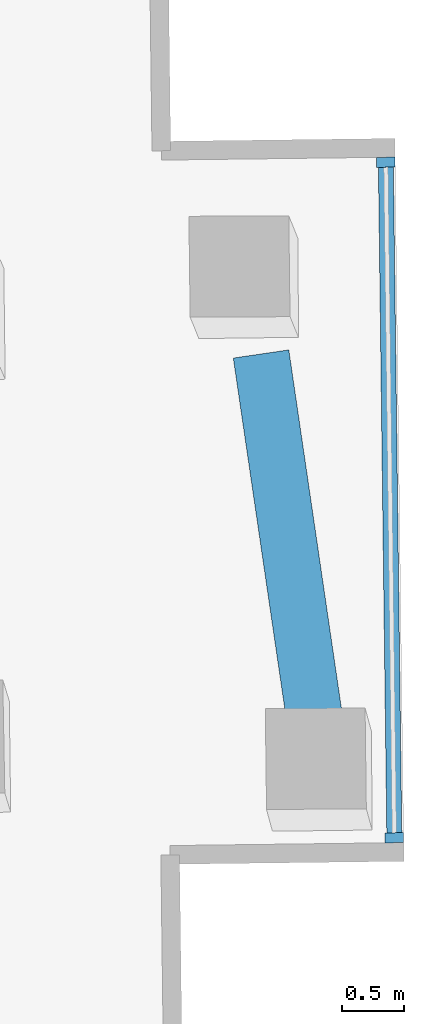
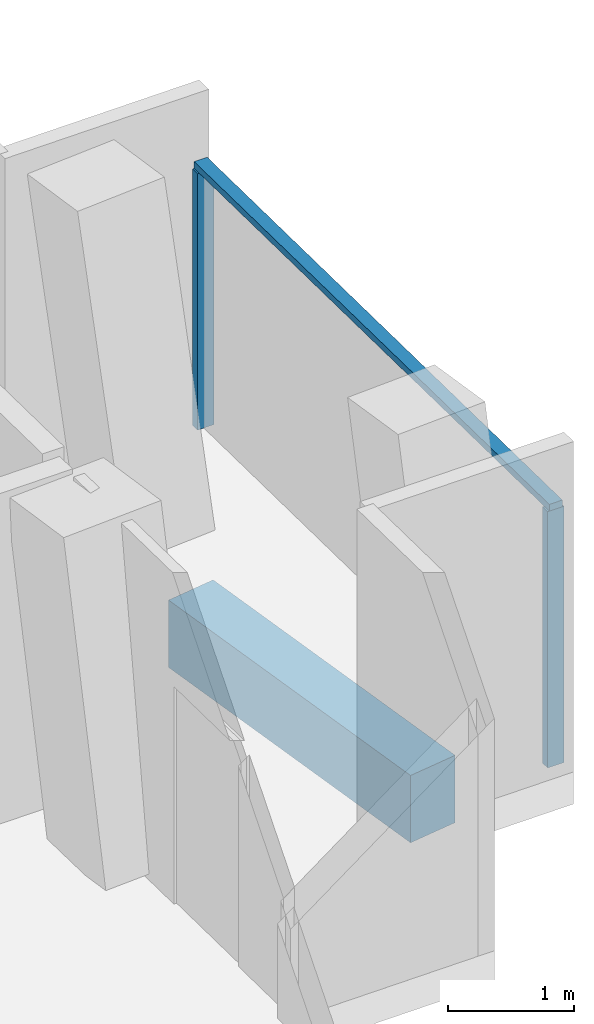
# One storey, part 6 of 21: 3 members, 1 beam, 1 element without a shape of its own.
"""IFC4 building model written with IfcOpenShell, lengths in metres."""

from ifc_helpers import new_model, si_unit, direction, frame, origin, origin_2d, place, context, subcontext, project, spatial, rectangle, extrude, material, layer, layer_set, material_profile, profile_set, type_object, element, aggregate, save


model = new_model("IFC4")

# Units and contexts
model_context = context("Model", 3, precision=1e-05, world=origin(), true_north=direction((0.0, 1.0)))
body_context = subcontext(model_context, "Body", "Model", "MODEL_VIEW")
ifc_project = project(units=[si_unit("LENGTHUNIT", "METRE"), si_unit("AREAUNIT", "SQUARE_METRE"), si_unit("VOLUMEUNIT", "CUBIC_METRE"), si_unit("PLANEANGLEUNIT", "RADIAN"), si_unit("MASSUNIT", "GRAM", prefix="KILO")], contexts=[model_context])

# Site, building, storey
site_placement = place(None, origin())
site = spatial("IfcSite", under=ifc_project, at=site_placement, CompositionType="ELEMENT")
building_placement = place(site_placement, origin())
building = spatial("IfcBuilding", under=site, at=building_placement, Name="Verdalira Terraces Hotel", CompositionType="ELEMENT")
storey_placement = place(building_placement, frame((0.0, 0.0, 158.5)))
storey = spatial("IfcBuildingStorey", under=building, at=storey_placement, Name="L38", CompositionType="ELEMENT", Elevation=158.5)

# Curtain wall, members
ifc_material_1 = material(Name="Clear glass", Category="glass")
ifc_layer = layer(ifc_material_1, 0.14990234375)
ifc_layer_set = layer_set([ifc_layer], Name="CW3 curtain wall")
curtain_wall_type = type_object("IfcCurtainWallType", Name="CW3 curtain wall", PredefinedType="NOTDEFINED", material=ifc_layer_set)
curtain_wall_placement = place(storey_placement, origin())
curtain_wall = element("IfcCurtainWall", 1, at=curtain_wall_placement, inside=storey, type_object=curtain_wall_type, Name="CW3 curtain wall L38 edge 33", PredefinedType="NOTDEFINED")
ifc_material_2 = material(Name="Terracotta frame", Category="masonry")
ifc_material_profile_1 = material_profile(ifc_material_2, rectangle(XDim=0.080078, YDim=0.149902, at=origin_2d()), Name="MU 80x150")
ifc_profile_set_1 = profile_set([ifc_material_profile_1], Name="Terracotta frame")
member_type_1 = type_object("IfcMemberType", Name="CW3 mullion 80x150", PredefinedType="MULLION", material=ifc_profile_set_1)
member_1_placement = place(storey_placement, frame((32.348389, -2.303711, 0.0), z_axis=(0.0, 0.0, 1.0), x_axis=(-0.01256604, 0.999921044, 0.0)))
member_1 = element("IfcMember", 2, at=member_1_placement, type_object=member_type_1, Name="CW3 mullion", PredefinedType="MULLION", context=body_context, shape_type="SweptSolid", body=[
    extrude(rectangle(XDim=0.080078, YDim=0.149902, at=origin_2d()), origin(), (0.0, 0.0, 1.0), 2.475098),
])
member_2_placement = place(storey_placement, frame((32.280273, 3.115967, 0.0), z_axis=(0.0, 0.0, 1.0), x_axis=(-0.01256604, 0.999921044, 0.0)))
member_2 = element("IfcMember", 3, at=member_2_placement, type_object=member_type_1, Name="CW3 mullion", PredefinedType="MULLION", context=body_context, shape_type="SweptSolid", body=[
    extrude(rectangle(XDim=0.080078, YDim=0.149902, at=origin_2d()), origin(), (0.0, 0.0, 1.0), 2.475098),
])
ifc_material_3 = material(Name="Terracotta frame", Category="masonry")
ifc_material_profile_2 = material_profile(ifc_material_3, rectangle(XDim=0.120117, YDim=0.064941, at=origin_2d()), Name="TR 65x120")
ifc_profile_set_2 = profile_set([ifc_material_profile_2], Name="Terracotta frame")
member_type_2 = type_object("IfcMemberType", Name="CW3 transom 65x120", PredefinedType="USERDEFINED", material=ifc_profile_set_2)
member_3_placement = place(storey_placement, frame((32.349121, -2.34375, 2.507568), z_axis=(-0.012606651, 0.999920533, 0.0), x_axis=(-0.999920533, -0.012606651, 0.0)))
member_3 = element("IfcMember", 4, at=member_3_placement, type_object=member_type_2, Name="CW3 transom", ObjectType="TRANSOM", PredefinedType="USERDEFINED", context=body_context, shape_type="SweptSolid", body=[
    extrude(rectangle(XDim=0.120117, YDim=0.064941, at=origin_2d()), origin(), (0.0, 0.0, 1.0), 5.5),
])
aggregate(curtain_wall, [member_1, member_2, member_3])

# Beam
ifc_material_4 = material(Name="Concrete C50", Category="concrete")
ifc_material_profile_3 = material_profile(ifc_material_4, rectangle(XDim=0.449951, YDim=0.649902, at=origin_2d()), Name="RC 450X650")
ifc_profile_set_3 = profile_set([ifc_material_profile_3], Name="Concrete C50")
beam_type = type_object("IfcBeamType", Name="Spandrel beam RC 450X650 C50", PredefinedType="SPANDREL", material=ifc_profile_set_3)
beam_placement = place(storey_placement, frame((31.727295, -1.475586, -0.63501), z_axis=(-0.145252559, 0.98939461, 0.0), x_axis=(-0.98939461, -0.145252559, 0.0)))
element("IfcBeam", 5, at=beam_placement, inside=storey, type_object=beam_type, Name="Spandrel beam B16", PredefinedType="SPANDREL", context=body_context, shape_type="SweptSolid", body=[
    extrude(rectangle(XDim=0.449951, YDim=0.649902, at=origin_2d()), origin(), (0.0, 0.0, 1.0), 3.085938),
])

save(model, "model.ifc")
